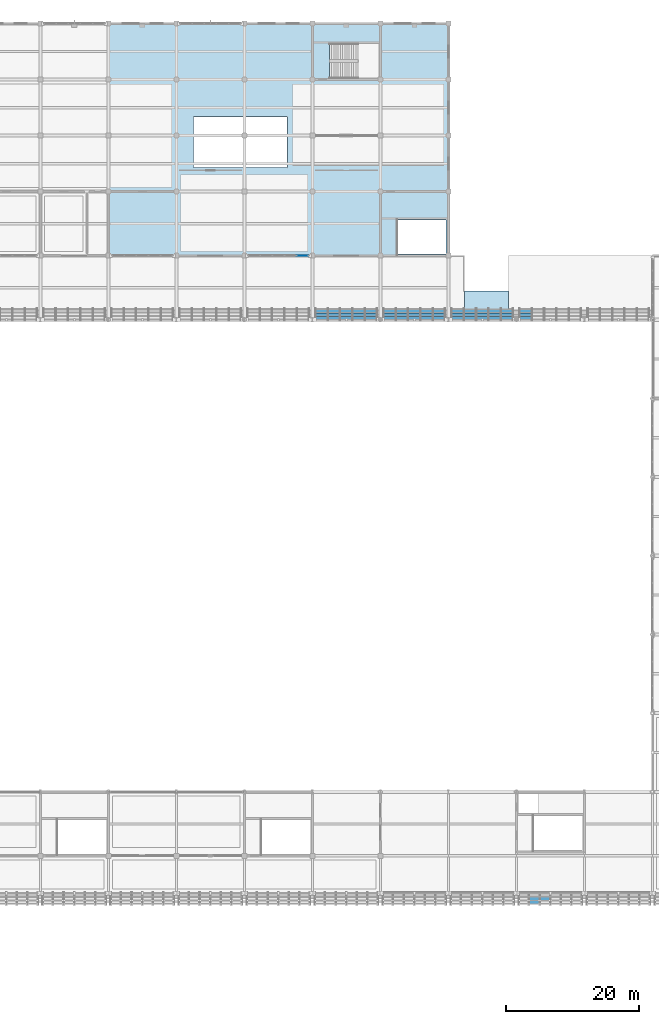
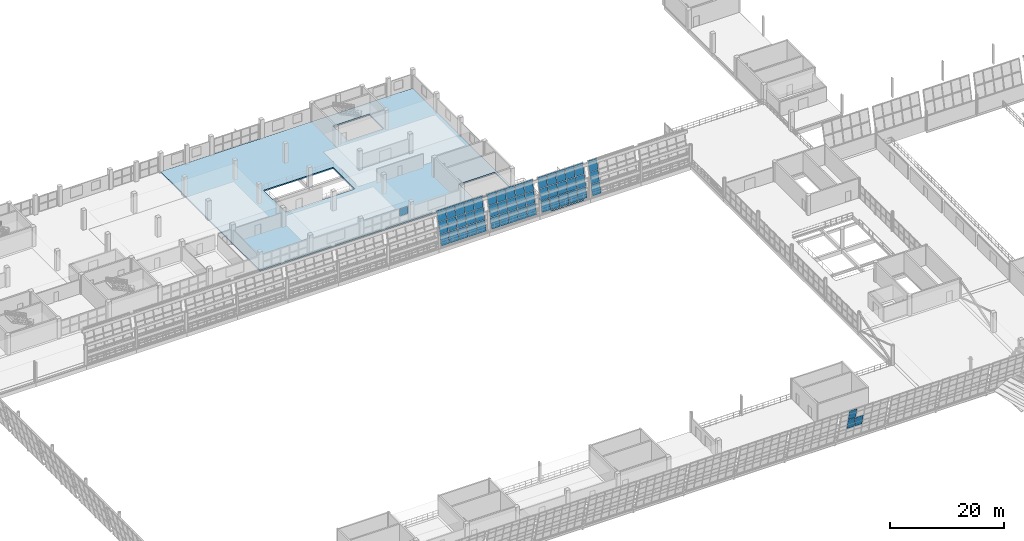
# One storey, part 109 of 157: 52 plates, 2 slabs, 6 elements without a shape of their own.
"""IFC4 building model written with IfcOpenShell, lengths in metres."""

from ifc_helpers import new_model, si_unit, direction, frame, origin, origin_2d, place, context, subcontext, project, spatial, polyline, rectangle, outline, extrude, material, layer, layer_set, type_object, element, aggregate, save


model = new_model("IFC4")

# Units and contexts
model_context = context("Model", 3, precision=1e-05, world=origin(), true_north=direction((0.0, 1.0)))
body_context = subcontext(model_context, "Body", "Model", "MODEL_VIEW")
ifc_project = project(units=[si_unit("LENGTHUNIT", "METRE"), si_unit("AREAUNIT", "SQUARE_METRE"), si_unit("VOLUMEUNIT", "CUBIC_METRE"), si_unit("PLANEANGLEUNIT", "RADIAN"), si_unit("MASSUNIT", "GRAM", prefix="KILO")], contexts=[model_context])

# Site, building, storey
site_placement = place(None, origin())
site = spatial("IfcSite", under=ifc_project, at=site_placement, CompositionType="ELEMENT")
building_placement = place(site_placement, origin())
building = spatial("IfcBuilding", under=site, at=building_placement, Name="Brelvane Convention Centre", CompositionType="ELEMENT")
storey_placement = place(building_placement, frame((0.0, 0.0, 10.800048828125)))
storey = spatial("IfcBuildingStorey", under=building, at=storey_placement, Name="L02", CompositionType="ELEMENT", Elevation=10.800048828125)

# Curtain wall, plate
ifc_material_1 = material(Name="Anodised Aluminium Alloy 6063-T6", Category="aluminium")
curtain_wall_type_1 = type_object("IfcCurtainWallType", Name="Curtain Wall CW-COURT", PredefinedType="USERDEFINED", material=ifc_material_1)
curtain_wall_1_placement = place(storey_placement, origin())
curtain_wall_1 = element("IfcCurtainWall", 1, at=curtain_wall_1_placement, inside=storey, type_object=curtain_wall_type_1, Name="Curtain Wall CW-COURT L02-V4S-09", ObjectType="UNITISED", PredefinedType="USERDEFINED")
ifc_material_2 = material(Name="Double Glazed Low-E Laminated Unit")
ifc_layer_1 = layer(ifc_material_2, 0.031982421875)
ifc_layer_set_1 = layer_set([ifc_layer_1], Name="Double Glazed Low-E Laminated Unit")
plate_type_1 = type_object("IfcPlateType", Name="Curtain Panel CW-PG1", PredefinedType="CURTAIN_PANEL", material=ifc_layer_set_1)
plate_1_placement = place(storey_placement, frame((90.3212890625, 109.199951171875, 1.68505859375), z_axis=(0.0, 0.0, 1.0), x_axis=(1.0, 0.0, 0.0)))
plate_1 = element("IfcPlate", 2, at=plate_1_placement, type_object=plate_type_1, Name="CW-COURT panel 5.2", PredefinedType="CURTAIN_PANEL", context=body_context, shape_type="SweptSolid", body=[
    extrude(rectangle(XDim=1.70751953125, YDim=0.031982421875, at=origin_2d()), origin(), (0.0, 0.0, 1.0), 1.544921875),
])
aggregate(curtain_wall_1, [plate_1])

# Curtain wall, plates
ifc_material_3 = material(Name="Anodised Aluminium Alloy 6063-T6", Category="aluminium")
curtain_wall_type_2 = type_object("IfcCurtainWallType", Name="Curtain Wall CW-HULL-S", PredefinedType="USERDEFINED", material=ifc_material_3)
curtain_wall_2_placement = place(storey_placement, origin())
curtain_wall_2 = element("IfcCurtainWall", 3, at=curtain_wall_2_placement, inside=storey, type_object=curtain_wall_type_2, Name="Curtain Wall CW-HULL-S L02-HULL-S-L02-13", ObjectType="UNITISED", PredefinedType="USERDEFINED")
ifc_material_4 = material(Name="Double Glazed Low-E Laminated Unit")
ifc_layer_2 = layer(ifc_material_4, 0.0380859375)
ifc_layer_set_2 = layer_set([ifc_layer_2], Name="Double Glazed Low-E Laminated Unit")
plate_type_2 = type_object("IfcPlateType", Name="Curtain Panel CW-PG2", PredefinedType="CURTAIN_PANEL", material=ifc_layer_set_2)
plate_2_placement = place(storey_placement, frame((124.353271484375, 13.05517578125, 2.3232421875), z_axis=(0.0, 0.973573977576, 0.228371868203), x_axis=(1.0, 0.0, 0.0)))
plate_2 = element("IfcPlate", 4, at=plate_2_placement, type_object=plate_type_2, Name="CW-HULL-S panel 2.2", PredefinedType="CURTAIN_PANEL", context=body_context, shape_type="SweptSolid", body=[
    extrude(outline(polyline([(0.0, 0.0), (1.513427734375, 0.0), (1.513427734375, -2.2631758771022032), (0.0, -2.2631758771022032), (0.0, 0.0)])), origin(), (0.0, 0.0, -1.0), 0.0380859375),
])
plate_3_placement = place(storey_placement, frame((124.353271484375, 12.51953125, 4.606689453125), z_axis=(0.0, 0.973586933466, 0.228316628794), x_axis=(1.0, 0.0, 0.0)))
plate_3 = element("IfcPlate", 5, at=plate_3_placement, type_object=plate_type_2, Name="CW-HULL-S panel 2.3", PredefinedType="CURTAIN_PANEL", context=body_context, shape_type="SweptSolid", body=[
    extrude(outline(polyline([(0.0, 0.0), (1.513427734375, 0.0), (1.513427734375, -2.2220204521674902), (0.0, -2.2220204521674902), (0.0, 0.0)])), origin(), (0.0, 0.0, -1.0), 0.0380859375),
])
plate_4_placement = place(storey_placement, frame((125.94677734375, 13.05517578125, 2.3232421875), z_axis=(0.0, 0.973573977576, 0.228371868203), x_axis=(1.0, 0.0, 0.0)))
plate_4 = element("IfcPlate", 6, at=plate_4_placement, type_object=plate_type_2, Name="CW-HULL-S panel 3.2", PredefinedType="CURTAIN_PANEL", context=body_context, shape_type="SweptSolid", body=[
    extrude(outline(polyline([(0.0, 0.0), (1.51318359375, 0.0), (1.51318359375, -2.2631758771022032), (0.0, -2.2631758771022032), (0.0, 0.0)])), origin(), (0.0, 0.0, -1.0), 0.0380859375),
])
aggregate(curtain_wall_2, [plate_2, plate_3, plate_4])

ifc_material_5 = material(Name="Anodised Aluminium Alloy 6063-T6", Category="aluminium")
curtain_wall_type_3 = type_object("IfcCurtainWallType", Name="Curtain Wall CW-HULL-N", PredefinedType="USERDEFINED", material=ifc_material_5)
curtain_wall_3_placement = place(storey_placement, origin())
curtain_wall_3 = element("IfcCurtainWall", 7, at=curtain_wall_3_placement, inside=storey, type_object=curtain_wall_type_3, Name="Curtain Wall CW-HULL-N L02-V1N-HULL-10", ObjectType="UNITISED", PredefinedType="USERDEFINED")
plate_5_placement = place(storey_placement, frame((92.330078125, 100.13720703125, 2.2900390625), z_axis=(0.0, -0.973595011737, 0.22828217872), x_axis=(1.0, 0.0, 0.0)))
plate_5 = element("IfcPlate", 8, at=plate_5_placement, type_object=plate_type_2, Name="CW-HULL-N panel 1.2", PredefinedType="CURTAIN_PANEL", context=body_context, shape_type="SweptSolid", body=[
    extrude(outline(polyline([(0.0, 0.0), (1.739990234375, 0.0), (1.739990234375, 2.2287725890550485), (0.0, 2.2287725890550485), (0.0, 0.0)])), origin(), (0.0, 0.0, -1.0), 0.0380859375),
])
plate_6_placement = place(storey_placement, frame((92.330078125, 100.664794921875, 4.5400390625), z_axis=(0.0, -0.973558945432, 0.228435942377), x_axis=(1.0, 0.0, 0.0)))
plate_6 = element("IfcPlate", 9, at=plate_6_placement, type_object=plate_type_2, Name="CW-HULL-N panel 1.3", PredefinedType="CURTAIN_PANEL", context=body_context, shape_type="SweptSolid", body=[
    extrude(outline(polyline([(0.0, 0.0), (1.739990234375, 0.0), (1.739990234375, 2.18772866552563), (0.0, 2.18772866552563), (0.0, 0.0)])), origin(), (0.0, 0.0, -1.0), 0.0380859375),
])
plate_7_placement = place(storey_placement, frame((94.14990234375, 100.13720703125, 2.2900390625), z_axis=(0.0, -0.973595011737, 0.22828217872), x_axis=(1.0, 0.0, 0.0)))
plate_7 = element("IfcPlate", 10, at=plate_7_placement, type_object=plate_type_2, Name="CW-HULL-N panel 2.2", PredefinedType="CURTAIN_PANEL", context=body_context, shape_type="SweptSolid", body=[
    extrude(outline(polyline([(0.0, 0.0), (1.780029296875, 0.0), (1.780029296875, 2.2287725890550485), (0.0, 2.2287725890550485), (0.0, 0.0)])), origin(), (0.0, 0.0, -1.0), 0.0380859375),
])
plate_8_placement = place(storey_placement, frame((94.14990234375, 100.664794921875, 4.5400390625), z_axis=(0.0, -0.973558945432, 0.228435942377), x_axis=(1.0, 0.0, 0.0)))
plate_8 = element("IfcPlate", 11, at=plate_8_placement, type_object=plate_type_2, Name="CW-HULL-N panel 2.3", PredefinedType="CURTAIN_PANEL", context=body_context, shape_type="SweptSolid", body=[
    extrude(outline(polyline([(0.0, 0.0), (1.780029296875, 0.0), (1.780029296875, 2.18772866552563), (0.0, 2.18772866552563), (0.0, 0.0)])), origin(), (0.0, 0.0, -1.0), 0.0380859375),
])
plate_9_placement = place(storey_placement, frame((96.010009765625, 100.13720703125, 2.2900390625), z_axis=(0.0, -0.973595011737, 0.22828217872), x_axis=(1.0, 0.0, 0.0)))
plate_9 = element("IfcPlate", 12, at=plate_9_placement, type_object=plate_type_2, Name="CW-HULL-N panel 3.2", PredefinedType="CURTAIN_PANEL", context=body_context, shape_type="SweptSolid", body=[
    extrude(outline(polyline([(0.0, 0.0), (1.780029296875, 0.0), (1.780029296875, 2.2287725890550485), (0.0, 2.2287725890550485), (0.0, 0.0)])), origin(), (0.0, 0.0, -1.0), 0.0380859375),
])
plate_10_placement = place(storey_placement, frame((96.010009765625, 100.664794921875, 4.5400390625), z_axis=(0.0, -0.973558945432, 0.228435942377), x_axis=(1.0, 0.0, 0.0)))
plate_10 = element("IfcPlate", 13, at=plate_10_placement, type_object=plate_type_2, Name="CW-HULL-N panel 3.3", PredefinedType="CURTAIN_PANEL", context=body_context, shape_type="SweptSolid", body=[
    extrude(outline(polyline([(0.0, 0.0), (1.780029296875, 0.0), (1.780029296875, 2.18772866552563), (0.0, 2.18772866552563), (0.0, 0.0)])), origin(), (0.0, 0.0, -1.0), 0.0380859375),
])
plate_11_placement = place(storey_placement, frame((97.8701171875, 100.13720703125, 2.2900390625), z_axis=(0.0, -0.973595011737, 0.22828217872), x_axis=(1.0, 0.0, 0.0)))
plate_11 = element("IfcPlate", 14, at=plate_11_placement, type_object=plate_type_2, Name="CW-HULL-N panel 4.2", PredefinedType="CURTAIN_PANEL", context=body_context, shape_type="SweptSolid", body=[
    extrude(outline(polyline([(0.0, 0.0), (1.77978515625, 0.0), (1.77978515625, 2.2287725890550485), (0.0, 2.2287725890550485), (0.0, 0.0)])), origin(), (0.0, 0.0, -1.0), 0.0380859375),
])
plate_12_placement = place(storey_placement, frame((97.8701171875, 100.664794921875, 4.5400390625), z_axis=(0.0, -0.973558945432, 0.228435942377), x_axis=(1.0, 0.0, 0.0)))
plate_12 = element("IfcPlate", 15, at=plate_12_placement, type_object=plate_type_2, Name="CW-HULL-N panel 4.3", PredefinedType="CURTAIN_PANEL", context=body_context, shape_type="SweptSolid", body=[
    extrude(outline(polyline([(0.0, 0.0), (1.77978515625, 0.0), (1.77978515625, 2.18772866552563), (0.0, 2.18772866552563), (0.0, 0.0)])), origin(), (0.0, 0.0, -1.0), 0.0380859375),
])
plate_13_placement = place(storey_placement, frame((99.72998046875, 100.13720703125, 2.2900390625), z_axis=(0.0, -0.973595011737, 0.22828217872), x_axis=(1.0, 0.0, 0.0)))
plate_13 = element("IfcPlate", 16, at=plate_13_placement, type_object=plate_type_2, Name="CW-HULL-N panel 5.2", PredefinedType="CURTAIN_PANEL", context=body_context, shape_type="SweptSolid", body=[
    extrude(outline(polyline([(0.0, 0.0), (1.739990234375, 0.0), (1.739990234375, 2.2287725890550485), (0.0, 2.2287725890550485), (0.0, 0.0)])), origin(), (0.0, 0.0, -1.0), 0.0380859375),
])
plate_14_placement = place(storey_placement, frame((99.72998046875, 100.664794921875, 4.5400390625), z_axis=(0.0, -0.973558945432, 0.228435942377), x_axis=(1.0, 0.0, 0.0)))
plate_14 = element("IfcPlate", 17, at=plate_14_placement, type_object=plate_type_2, Name="CW-HULL-N panel 5.3", PredefinedType="CURTAIN_PANEL", context=body_context, shape_type="SweptSolid", body=[
    extrude(outline(polyline([(0.0, 0.0), (1.739990234375, 0.0), (1.739990234375, 2.18772866552563), (0.0, 2.18772866552563), (0.0, 0.0)])), origin(), (0.0, 0.0, -1.0), 0.0380859375),
])

curtain_wall_4_placement = place(storey_placement, origin())
curtain_wall_4 = element("IfcCurtainWall", 18, at=curtain_wall_4_placement, inside=storey, type_object=curtain_wall_type_3, Name="Curtain Wall CW-HULL-N L02-V1N-HULL-11", ObjectType="UNITISED", PredefinedType="USERDEFINED")
plate_15_placement = place(storey_placement, frame((102.530029296875, 100.13720703125, 2.2900390625), z_axis=(0.0, -0.973595011737, 0.22828217872), x_axis=(1.0, 0.0, 0.0)))
plate_15 = element("IfcPlate", 19, at=plate_15_placement, type_object=plate_type_2, Name="CW-HULL-N panel 1.2", PredefinedType="CURTAIN_PANEL", context=body_context, shape_type="SweptSolid", body=[
    extrude(outline(polyline([(0.0, 0.0), (1.739990234375, 0.0), (1.739990234375, 2.2287725890550485), (0.0, 2.2287725890550485), (0.0, 0.0)])), origin(), (0.0, 0.0, -1.0), 0.0380859375),
])
plate_16_placement = place(storey_placement, frame((102.530029296875, 100.664794921875, 4.5400390625), z_axis=(0.0, -0.973558945432, 0.228435942377), x_axis=(1.0, 0.0, 0.0)))
plate_16 = element("IfcPlate", 20, at=plate_16_placement, type_object=plate_type_2, Name="CW-HULL-N panel 1.3", PredefinedType="CURTAIN_PANEL", context=body_context, shape_type="SweptSolid", body=[
    extrude(outline(polyline([(0.0, 0.0), (1.739990234375, 0.0), (1.739990234375, 2.18772866552563), (0.0, 2.18772866552563), (0.0, 0.0)])), origin(), (0.0, 0.0, -1.0), 0.0380859375),
])
plate_17_placement = place(storey_placement, frame((104.35009765625, 100.13720703125, 2.2900390625), z_axis=(0.0, -0.973595011737, 0.22828217872), x_axis=(1.0, 0.0, 0.0)))
plate_17 = element("IfcPlate", 21, at=plate_17_placement, type_object=plate_type_2, Name="CW-HULL-N panel 2.2", PredefinedType="CURTAIN_PANEL", context=body_context, shape_type="SweptSolid", body=[
    extrude(outline(polyline([(0.0, 0.0), (1.77978515625, 0.0), (1.77978515625, 2.2287725890550485), (0.0, 2.2287725890550485), (0.0, 0.0)])), origin(), (0.0, 0.0, -1.0), 0.0380859375),
])
plate_18_placement = place(storey_placement, frame((104.35009765625, 100.664794921875, 4.5400390625), z_axis=(0.0, -0.973558945432, 0.228435942377), x_axis=(1.0, 0.0, 0.0)))
plate_18 = element("IfcPlate", 22, at=plate_18_placement, type_object=plate_type_2, Name="CW-HULL-N panel 2.3", PredefinedType="CURTAIN_PANEL", context=body_context, shape_type="SweptSolid", body=[
    extrude(outline(polyline([(0.0, 0.0), (1.77978515625, 0.0), (1.77978515625, 2.18772866552563), (0.0, 2.18772866552563), (0.0, 0.0)])), origin(), (0.0, 0.0, -1.0), 0.0380859375),
])
plate_19_placement = place(storey_placement, frame((106.2099609375, 100.13720703125, 2.2900390625), z_axis=(0.0, -0.973595011737, 0.22828217872), x_axis=(1.0, 0.0, 0.0)))
plate_19 = element("IfcPlate", 23, at=plate_19_placement, type_object=plate_type_2, Name="CW-HULL-N panel 3.2", PredefinedType="CURTAIN_PANEL", context=body_context, shape_type="SweptSolid", body=[
    extrude(outline(polyline([(0.0, 0.0), (1.780029296875, 0.0), (1.780029296875, 2.2287725890550485), (0.0, 2.2287725890550485), (0.0, 0.0)])), origin(), (0.0, 0.0, -1.0), 0.0380859375),
])
plate_20_placement = place(storey_placement, frame((106.2099609375, 100.664794921875, 4.5400390625), z_axis=(0.0, -0.973558945432, 0.228435942377), x_axis=(1.0, 0.0, 0.0)))
plate_20 = element("IfcPlate", 24, at=plate_20_placement, type_object=plate_type_2, Name="CW-HULL-N panel 3.3", PredefinedType="CURTAIN_PANEL", context=body_context, shape_type="SweptSolid", body=[
    extrude(outline(polyline([(0.0, 0.0), (1.780029296875, 0.0), (1.780029296875, 2.18772866552563), (0.0, 2.18772866552563), (0.0, 0.0)])), origin(), (0.0, 0.0, -1.0), 0.0380859375),
])
plate_21_placement = place(storey_placement, frame((108.070068359375, 100.13720703125, 2.2900390625), z_axis=(0.0, -0.973595011737, 0.22828217872), x_axis=(1.0, 0.0, 0.0)))
plate_21 = element("IfcPlate", 25, at=plate_21_placement, type_object=plate_type_2, Name="CW-HULL-N panel 4.2", PredefinedType="CURTAIN_PANEL", context=body_context, shape_type="SweptSolid", body=[
    extrude(outline(polyline([(0.0, 0.0), (1.780029296875, 0.0), (1.780029296875, 2.2287725890550485), (0.0, 2.2287725890550485), (0.0, 0.0)])), origin(), (0.0, 0.0, -1.0), 0.0380859375),
])
plate_22_placement = place(storey_placement, frame((108.070068359375, 100.664794921875, 4.5400390625), z_axis=(0.0, -0.973558945432, 0.228435942377), x_axis=(1.0, 0.0, 0.0)))
plate_22 = element("IfcPlate", 26, at=plate_22_placement, type_object=plate_type_2, Name="CW-HULL-N panel 4.3", PredefinedType="CURTAIN_PANEL", context=body_context, shape_type="SweptSolid", body=[
    extrude(outline(polyline([(0.0, 0.0), (1.780029296875, 0.0), (1.780029296875, 2.18772866552563), (0.0, 2.18772866552563), (0.0, 0.0)])), origin(), (0.0, 0.0, -1.0), 0.0380859375),
])
plate_23_placement = place(storey_placement, frame((109.929931640625, 100.13720703125, 2.2900390625), z_axis=(0.0, -0.973595011737, 0.22828217872), x_axis=(1.0, 0.0, 0.0)))
plate_23 = element("IfcPlate", 27, at=plate_23_placement, type_object=plate_type_2, Name="CW-HULL-N panel 5.2", PredefinedType="CURTAIN_PANEL", context=body_context, shape_type="SweptSolid", body=[
    extrude(outline(polyline([(0.0, 0.0), (1.739990234375, 0.0), (1.739990234375, 2.2287725890550485), (0.0, 2.2287725890550485), (0.0, 0.0)])), origin(), (0.0, 0.0, -1.0), 0.0380859375),
])
plate_24_placement = place(storey_placement, frame((109.929931640625, 100.664794921875, 4.5400390625), z_axis=(0.0, -0.973558945432, 0.228435942377), x_axis=(1.0, 0.0, 0.0)))
plate_24 = element("IfcPlate", 28, at=plate_24_placement, type_object=plate_type_2, Name="CW-HULL-N panel 5.3", PredefinedType="CURTAIN_PANEL", context=body_context, shape_type="SweptSolid", body=[
    extrude(outline(polyline([(0.0, 0.0), (1.739990234375, 0.0), (1.739990234375, 2.18772866552563), (0.0, 2.18772866552563), (0.0, 0.0)])), origin(), (0.0, 0.0, -1.0), 0.0380859375),
])

curtain_wall_5_placement = place(storey_placement, origin())
curtain_wall_5 = element("IfcCurtainWall", 29, at=curtain_wall_5_placement, inside=storey, type_object=curtain_wall_type_3, Name="Curtain Wall CW-HULL-N L02-V1N-HULL-12", ObjectType="UNITISED", PredefinedType="USERDEFINED")
plate_25_placement = place(storey_placement, frame((112.72998046875, 100.13720703125, 2.2900390625), z_axis=(0.0, -0.973595011737, 0.22828217872), x_axis=(1.0, 0.0, 0.0)))
plate_25 = element("IfcPlate", 30, at=plate_25_placement, type_object=plate_type_2, Name="CW-HULL-N panel 1.2", PredefinedType="CURTAIN_PANEL", context=body_context, shape_type="SweptSolid", body=[
    extrude(outline(polyline([(0.0, 0.0), (1.739990234375, 0.0), (1.739990234375, 2.2287725890550485), (0.0, 2.2287725890550485), (0.0, 0.0)])), origin(), (0.0, 0.0, -1.0), 0.0380859375),
])
plate_26_placement = place(storey_placement, frame((112.72998046875, 100.664794921875, 4.5400390625), z_axis=(0.0, -0.973558945432, 0.228435942377), x_axis=(1.0, 0.0, 0.0)))
plate_26 = element("IfcPlate", 31, at=plate_26_placement, type_object=plate_type_2, Name="CW-HULL-N panel 1.3", PredefinedType="CURTAIN_PANEL", context=body_context, shape_type="SweptSolid", body=[
    extrude(outline(polyline([(0.0, 0.0), (1.739990234375, 0.0), (1.739990234375, 2.18772866552563), (0.0, 2.18772866552563), (0.0, 0.0)])), origin(), (0.0, 0.0, -1.0), 0.0380859375),
])
plate_27_placement = place(storey_placement, frame((114.550048828125, 100.13720703125, 2.2900390625), z_axis=(0.0, -0.973595011737, 0.22828217872), x_axis=(1.0, 0.0, 0.0)))
plate_27 = element("IfcPlate", 32, at=plate_27_placement, type_object=plate_type_2, Name="CW-HULL-N panel 2.2", PredefinedType="CURTAIN_PANEL", context=body_context, shape_type="SweptSolid", body=[
    extrude(outline(polyline([(0.0, 0.0), (1.780029296875, 0.0), (1.780029296875, 2.2287725890550485), (0.0, 2.2287725890550485), (0.0, 0.0)])), origin(), (0.0, 0.0, -1.0), 0.0380859375),
])
plate_28_placement = place(storey_placement, frame((114.550048828125, 100.664794921875, 4.5400390625), z_axis=(0.0, -0.973558945432, 0.228435942377), x_axis=(1.0, 0.0, 0.0)))
plate_28 = element("IfcPlate", 33, at=plate_28_placement, type_object=plate_type_2, Name="CW-HULL-N panel 2.3", PredefinedType="CURTAIN_PANEL", context=body_context, shape_type="SweptSolid", body=[
    extrude(outline(polyline([(0.0, 0.0), (1.780029296875, 0.0), (1.780029296875, 2.18772866552563), (0.0, 2.18772866552563), (0.0, 0.0)])), origin(), (0.0, 0.0, -1.0), 0.0380859375),
])
plate_29_placement = place(storey_placement, frame((116.409912109375, 100.13720703125, 2.2900390625), z_axis=(0.0, -0.973595011737, 0.22828217872), x_axis=(1.0, 0.0, 0.0)))
plate_29 = element("IfcPlate", 34, at=plate_29_placement, type_object=plate_type_2, Name="CW-HULL-N panel 3.2", PredefinedType="CURTAIN_PANEL", context=body_context, shape_type="SweptSolid", body=[
    extrude(outline(polyline([(0.0, 0.0), (1.780029296875, 0.0), (1.780029296875, 2.2287725890550485), (0.0, 2.2287725890550485), (0.0, 0.0)])), origin(), (0.0, 0.0, -1.0), 0.0380859375),
])
plate_30_placement = place(storey_placement, frame((116.409912109375, 100.664794921875, 4.5400390625), z_axis=(0.0, -0.973558945432, 0.228435942377), x_axis=(1.0, 0.0, 0.0)))
plate_30 = element("IfcPlate", 35, at=plate_30_placement, type_object=plate_type_2, Name="CW-HULL-N panel 3.3", PredefinedType="CURTAIN_PANEL", context=body_context, shape_type="SweptSolid", body=[
    extrude(outline(polyline([(0.0, 0.0), (1.780029296875, 0.0), (1.780029296875, 2.18772866552563), (0.0, 2.18772866552563), (0.0, 0.0)])), origin(), (0.0, 0.0, -1.0), 0.0380859375),
])
plate_31_placement = place(storey_placement, frame((118.27001953125, 100.13720703125, 2.2900390625), z_axis=(0.0, -0.973595011737, 0.22828217872), x_axis=(1.0, 0.0, 0.0)))
plate_31 = element("IfcPlate", 36, at=plate_31_placement, type_object=plate_type_2, Name="CW-HULL-N panel 4.2", PredefinedType="CURTAIN_PANEL", context=body_context, shape_type="SweptSolid", body=[
    extrude(outline(polyline([(0.0, 0.0), (1.780029296875, 0.0), (1.780029296875, 2.2287725890550485), (0.0, 2.2287725890550485), (0.0, 0.0)])), origin(), (0.0, 0.0, -1.0), 0.0380859375),
])
plate_32_placement = place(storey_placement, frame((118.27001953125, 100.664794921875, 4.5400390625), z_axis=(0.0, -0.973558945432, 0.228435942377), x_axis=(1.0, 0.0, 0.0)))
plate_32 = element("IfcPlate", 37, at=plate_32_placement, type_object=plate_type_2, Name="CW-HULL-N panel 4.3", PredefinedType="CURTAIN_PANEL", context=body_context, shape_type="SweptSolid", body=[
    extrude(outline(polyline([(0.0, 0.0), (1.780029296875, 0.0), (1.780029296875, 2.18772866552563), (0.0, 2.18772866552563), (0.0, 0.0)])), origin(), (0.0, 0.0, -1.0), 0.0380859375),
])
plate_33_placement = place(storey_placement, frame((120.1298828125, 100.13720703125, 2.2900390625), z_axis=(0.0, -0.973595011737, 0.22828217872), x_axis=(1.0, 0.0, 0.0)))
plate_33 = element("IfcPlate", 38, at=plate_33_placement, type_object=plate_type_2, Name="CW-HULL-N panel 5.2", PredefinedType="CURTAIN_PANEL", context=body_context, shape_type="SweptSolid", body=[
    extrude(outline(polyline([(0.0, 0.0), (1.740234375, 0.0), (1.740234375, 2.2287725890550485), (0.0, 2.2287725890550485), (0.0, 0.0)])), origin(), (0.0, 0.0, -1.0), 0.0380859375),
])
plate_34_placement = place(storey_placement, frame((120.1298828125, 100.664794921875, 4.5400390625), z_axis=(0.0, -0.973558945432, 0.228435942377), x_axis=(1.0, 0.0, 0.0)))
plate_34 = element("IfcPlate", 39, at=plate_34_placement, type_object=plate_type_2, Name="CW-HULL-N panel 5.3", PredefinedType="CURTAIN_PANEL", context=body_context, shape_type="SweptSolid", body=[
    extrude(outline(polyline([(0.0, 0.0), (1.740234375, 0.0), (1.740234375, 2.18772866552563), (0.0, 2.18772866552563), (0.0, 0.0)])), origin(), (0.0, 0.0, -1.0), 0.0380859375),
])

curtain_wall_6_placement = place(storey_placement, origin())
curtain_wall_6 = element("IfcCurtainWall", 40, at=curtain_wall_6_placement, inside=storey, type_object=curtain_wall_type_3, Name="Curtain Wall CW-HULL-N L02-V1N-HULL-13", ObjectType="UNITISED", PredefinedType="USERDEFINED")
plate_35_placement = place(storey_placement, frame((122.929931640625, 100.13720703125, 2.2900390625), z_axis=(0.0, -0.973595011737, 0.22828217872), x_axis=(1.0, 0.0, 0.0)))
plate_35 = element("IfcPlate", 41, at=plate_35_placement, type_object=plate_type_2, Name="CW-HULL-N panel 1.2", PredefinedType="CURTAIN_PANEL", context=body_context, shape_type="SweptSolid", body=[
    extrude(outline(polyline([(0.0, 0.0), (1.739990234375, 0.0), (1.739990234375, 2.2287725890550485), (0.0, 2.2287725890550485), (0.0, 0.0)])), origin(), (0.0, 0.0, -1.0), 0.0380859375),
])
plate_36_placement = place(storey_placement, frame((122.929931640625, 100.664794921875, 4.5400390625), z_axis=(0.0, -0.973558945432, 0.228435942377), x_axis=(1.0, 0.0, 0.0)))
plate_36 = element("IfcPlate", 42, at=plate_36_placement, type_object=plate_type_2, Name="CW-HULL-N panel 1.3", PredefinedType="CURTAIN_PANEL", context=body_context, shape_type="SweptSolid", body=[
    extrude(outline(polyline([(0.0, 0.0), (1.739990234375, 0.0), (1.739990234375, 2.18772866552563), (0.0, 2.18772866552563), (0.0, 0.0)])), origin(), (0.0, 0.0, -1.0), 0.0380859375),
])

# Plate
ifc_material_6 = material(Name="Patinated Copper-Bronze Alloy C22000")
ifc_layer_3 = layer(ifc_material_6, 0.048095703125)
ifc_layer_set_3 = layer_set([ifc_layer_3], Name="Patinated Copper-Bronze Alloy C22000")
plate_type_3 = type_object("IfcPlateType", Name="Curtain Panel CW-PS1", PredefinedType="CURTAIN_PANEL", material=ifc_layer_set_3)
plate_37_placement = place(storey_placement, frame((92.330078125, 99.61865234375, 0.079833984375), z_axis=(0.0, -0.973564767867, 0.228411126627), x_axis=(1.0, 0.0, 0.0)))
plate_37 = element("IfcPlate", 43, at=plate_37_placement, type_object=plate_type_3, Name="CW-HULL-N panel 1.1", PredefinedType="CURTAIN_PANEL", context=body_context, shape_type="SweptSolid", body=[
    extrude(outline(polyline([(0.0, 0.0), (1.739990234375, 0.0), (1.739990234375, 2.1879663515258274), (0.0, 2.1879663515258274), (0.0, 0.0)])), origin(), (0.0, 0.0, -1.0), 0.0380859375),
])

plate_38_placement = place(storey_placement, frame((94.14990234375, 99.61865234375, 0.079833984375), z_axis=(0.0, -0.973564767867, 0.228411126627), x_axis=(1.0, 0.0, 0.0)))
plate_38 = element("IfcPlate", 44, at=plate_38_placement, type_object=plate_type_3, Name="CW-HULL-N panel 2.1", PredefinedType="CURTAIN_PANEL", context=body_context, shape_type="SweptSolid", body=[
    extrude(outline(polyline([(0.0, 0.0), (1.780029296875, 0.0), (1.780029296875, 2.1879663515258274), (0.0, 2.1879663515258274), (0.0, 0.0)])), origin(), (0.0, 0.0, -1.0), 0.0380859375),
])

plate_39_placement = place(storey_placement, frame((96.010009765625, 99.61865234375, 0.079833984375), z_axis=(0.0, -0.973564767867, 0.228411126627), x_axis=(1.0, 0.0, 0.0)))
plate_39 = element("IfcPlate", 45, at=plate_39_placement, type_object=plate_type_3, Name="CW-HULL-N panel 3.1", PredefinedType="CURTAIN_PANEL", context=body_context, shape_type="SweptSolid", body=[
    extrude(outline(polyline([(0.0, 0.0), (1.780029296875, 0.0), (1.780029296875, 2.1879663515258274), (0.0, 2.1879663515258274), (0.0, 0.0)])), origin(), (0.0, 0.0, -1.0), 0.0380859375),
])

plate_40_placement = place(storey_placement, frame((97.8701171875, 99.61865234375, 0.079833984375), z_axis=(0.0, -0.973564767867, 0.228411126627), x_axis=(1.0, 0.0, 0.0)))
plate_40 = element("IfcPlate", 46, at=plate_40_placement, type_object=plate_type_3, Name="CW-HULL-N panel 4.1", PredefinedType="CURTAIN_PANEL", context=body_context, shape_type="SweptSolid", body=[
    extrude(outline(polyline([(0.0, 0.0), (1.77978515625, 0.0), (1.77978515625, 2.187966351525827), (0.0, 2.187966351525827), (0.0, 0.0)])), origin(), (0.0, 0.0, -1.0), 0.0380859375),
])

plate_41_placement = place(storey_placement, frame((99.72998046875, 99.61865234375, 0.079833984375), z_axis=(0.0, -0.973564767867, 0.228411126627), x_axis=(1.0, 0.0, 0.0)))
plate_41 = element("IfcPlate", 47, at=plate_41_placement, type_object=plate_type_3, Name="CW-HULL-N panel 5.1", PredefinedType="CURTAIN_PANEL", context=body_context, shape_type="SweptSolid", body=[
    extrude(outline(polyline([(0.0, 0.0), (1.739990234375, 0.0), (1.739990234375, 2.1879663515258274), (0.0, 2.1879663515258274), (0.0, 0.0)])), origin(), (0.0, 0.0, -1.0), 0.0380859375),
])

aggregate(curtain_wall_3, [plate_37, plate_5, plate_6, plate_38, plate_7, plate_8, plate_39, plate_9, plate_10, plate_40, plate_11, plate_12, plate_41, plate_13, plate_14])

plate_42_placement = place(storey_placement, frame((102.530029296875, 99.61865234375, 0.079833984375), z_axis=(0.0, -0.973564767867, 0.228411126627), x_axis=(1.0, 0.0, 0.0)))
plate_42 = element("IfcPlate", 48, at=plate_42_placement, type_object=plate_type_3, Name="CW-HULL-N panel 1.1", PredefinedType="CURTAIN_PANEL", context=body_context, shape_type="SweptSolid", body=[
    extrude(outline(polyline([(0.0, 0.0), (1.739990234375, 0.0), (1.739990234375, 2.1879663515258274), (0.0, 2.1879663515258274), (0.0, 0.0)])), origin(), (0.0, 0.0, -1.0), 0.0380859375),
])

plate_43_placement = place(storey_placement, frame((104.35009765625, 99.61865234375, 0.079833984375), z_axis=(0.0, -0.973564767867, 0.228411126627), x_axis=(1.0, 0.0, 0.0)))
plate_43 = element("IfcPlate", 49, at=plate_43_placement, type_object=plate_type_3, Name="CW-HULL-N panel 2.1", PredefinedType="CURTAIN_PANEL", context=body_context, shape_type="SweptSolid", body=[
    extrude(outline(polyline([(0.0, 0.0), (1.77978515625, 0.0), (1.77978515625, 2.187966351525827), (0.0, 2.187966351525827), (0.0, 0.0)])), origin(), (0.0, 0.0, -1.0), 0.0380859375),
])

plate_44_placement = place(storey_placement, frame((106.2099609375, 99.61865234375, 0.079833984375), z_axis=(0.0, -0.973564767867, 0.228411126627), x_axis=(1.0, 0.0, 0.0)))
plate_44 = element("IfcPlate", 50, at=plate_44_placement, type_object=plate_type_3, Name="CW-HULL-N panel 3.1", PredefinedType="CURTAIN_PANEL", context=body_context, shape_type="SweptSolid", body=[
    extrude(outline(polyline([(0.0, 0.0), (1.780029296875, 0.0), (1.780029296875, 2.1879663515258274), (0.0, 2.1879663515258274), (0.0, 0.0)])), origin(), (0.0, 0.0, -1.0), 0.0380859375),
])

plate_45_placement = place(storey_placement, frame((108.070068359375, 99.61865234375, 0.079833984375), z_axis=(0.0, -0.973564767867, 0.228411126627), x_axis=(1.0, 0.0, 0.0)))
plate_45 = element("IfcPlate", 51, at=plate_45_placement, type_object=plate_type_3, Name="CW-HULL-N panel 4.1", PredefinedType="CURTAIN_PANEL", context=body_context, shape_type="SweptSolid", body=[
    extrude(outline(polyline([(0.0, 0.0), (1.780029296875, 0.0), (1.780029296875, 2.1879663515258274), (0.0, 2.1879663515258274), (0.0, 0.0)])), origin(), (0.0, 0.0, -1.0), 0.0380859375),
])

plate_46_placement = place(storey_placement, frame((109.929931640625, 99.61865234375, 0.079833984375), z_axis=(0.0, -0.973564767867, 0.228411126627), x_axis=(1.0, 0.0, 0.0)))
plate_46 = element("IfcPlate", 52, at=plate_46_placement, type_object=plate_type_3, Name="CW-HULL-N panel 5.1", PredefinedType="CURTAIN_PANEL", context=body_context, shape_type="SweptSolid", body=[
    extrude(outline(polyline([(0.0, 0.0), (1.739990234375, 0.0), (1.739990234375, 2.1879663515258274), (0.0, 2.1879663515258274), (0.0, 0.0)])), origin(), (0.0, 0.0, -1.0), 0.0380859375),
])

aggregate(curtain_wall_4, [plate_42, plate_15, plate_16, plate_43, plate_17, plate_18, plate_44, plate_19, plate_20, plate_45, plate_21, plate_22, plate_46, plate_23, plate_24])

plate_47_placement = place(storey_placement, frame((112.72998046875, 99.61865234375, 0.079833984375), z_axis=(0.0, -0.973564767867, 0.228411126627), x_axis=(1.0, 0.0, 0.0)))
plate_47 = element("IfcPlate", 53, at=plate_47_placement, type_object=plate_type_3, Name="CW-HULL-N panel 1.1", PredefinedType="CURTAIN_PANEL", context=body_context, shape_type="SweptSolid", body=[
    extrude(outline(polyline([(0.0, 0.0), (1.739990234375, 0.0), (1.739990234375, 2.1879663515258274), (0.0, 2.1879663515258274), (0.0, 0.0)])), origin(), (0.0, 0.0, -1.0), 0.0380859375),
])

plate_48_placement = place(storey_placement, frame((114.550048828125, 99.61865234375, 0.079833984375), z_axis=(0.0, -0.973564767867, 0.228411126627), x_axis=(1.0, 0.0, 0.0)))
plate_48 = element("IfcPlate", 54, at=plate_48_placement, type_object=plate_type_3, Name="CW-HULL-N panel 2.1", PredefinedType="CURTAIN_PANEL", context=body_context, shape_type="SweptSolid", body=[
    extrude(outline(polyline([(0.0, 0.0), (1.780029296875, 0.0), (1.780029296875, 2.1879663515258274), (0.0, 2.1879663515258274), (0.0, 0.0)])), origin(), (0.0, 0.0, -1.0), 0.0380859375),
])

plate_49_placement = place(storey_placement, frame((116.409912109375, 99.61865234375, 0.079833984375), z_axis=(0.0, -0.973564767867, 0.228411126627), x_axis=(1.0, 0.0, 0.0)))
plate_49 = element("IfcPlate", 55, at=plate_49_placement, type_object=plate_type_3, Name="CW-HULL-N panel 3.1", PredefinedType="CURTAIN_PANEL", context=body_context, shape_type="SweptSolid", body=[
    extrude(outline(polyline([(0.0, 0.0), (1.780029296875, 0.0), (1.780029296875, 2.1879663515258274), (0.0, 2.1879663515258274), (0.0, 0.0)])), origin(), (0.0, 0.0, -1.0), 0.0380859375),
])

plate_50_placement = place(storey_placement, frame((118.27001953125, 99.61865234375, 0.079833984375), z_axis=(0.0, -0.973564767867, 0.228411126627), x_axis=(1.0, 0.0, 0.0)))
plate_50 = element("IfcPlate", 56, at=plate_50_placement, type_object=plate_type_3, Name="CW-HULL-N panel 4.1", PredefinedType="CURTAIN_PANEL", context=body_context, shape_type="SweptSolid", body=[
    extrude(outline(polyline([(0.0, 0.0), (1.780029296875, 0.0), (1.780029296875, 2.1879663515258274), (0.0, 2.1879663515258274), (0.0, 0.0)])), origin(), (0.0, 0.0, -1.0), 0.0380859375),
])

plate_51_placement = place(storey_placement, frame((120.1298828125, 99.61865234375, 0.079833984375), z_axis=(0.0, -0.973564767867, 0.228411126627), x_axis=(1.0, 0.0, 0.0)))
plate_51 = element("IfcPlate", 57, at=plate_51_placement, type_object=plate_type_3, Name="CW-HULL-N panel 5.1", PredefinedType="CURTAIN_PANEL", context=body_context, shape_type="SweptSolid", body=[
    extrude(outline(polyline([(0.0, 0.0), (1.740234375, 0.0), (1.740234375, 2.1879663515258274), (0.0, 2.1879663515258274), (0.0, 0.0)])), origin(), (0.0, 0.0, -1.0), 0.0380859375),
])

aggregate(curtain_wall_5, [plate_47, plate_25, plate_26, plate_48, plate_27, plate_28, plate_49, plate_29, plate_30, plate_50, plate_31, plate_32, plate_51, plate_33, plate_34])

plate_52_placement = place(storey_placement, frame((122.929931640625, 99.61865234375, 0.079833984375), z_axis=(0.0, -0.973564767867, 0.228411126627), x_axis=(1.0, 0.0, 0.0)))
plate_52 = element("IfcPlate", 58, at=plate_52_placement, type_object=plate_type_3, Name="CW-HULL-N panel 1.1", PredefinedType="CURTAIN_PANEL", context=body_context, shape_type="SweptSolid", body=[
    extrude(outline(polyline([(0.0, 0.0), (1.739990234375, 0.0), (1.739990234375, 2.1879663515258274), (0.0, 2.1879663515258274), (0.0, 0.0)])), origin(), (0.0, 0.0, -1.0), 0.0380859375),
])

aggregate(curtain_wall_6, [plate_52, plate_35, plate_36])

# Slabs
ifc_material_7 = material(Name="Concrete M40", Category="concrete")
ifc_layer_4 = layer(ifc_material_7, 0.280029296875)
ifc_layer_set_4 = layer_set([ifc_layer_4], Name="Concrete M40")
slab_type = type_object("IfcSlabType", Name="Structural Slab SL-FLR-280", PredefinedType="FLOOR", material=ifc_layer_set_4)
slab_1_placement = place(storey_placement, frame((0.0, 0.0, -0.280029296875)))
element("IfcSlab", 59, at=slab_1_placement, inside=storey, type_object=slab_type, Name="L02 Floor Slab MEET-E", PredefinedType="FLOOR", context=body_context, shape_type="SweptSolid", body=[
    extrude(outline(polyline([(61.199951171875, 109.199951171875), (112.199951171875, 109.199951171875), (112.199951171875, 144.0), (61.199951171875, 144.0), (61.199951171875, 109.199951171875)]), holes=[polyline([(94.39990234375, 135.85009765625), (101.64990234375, 135.85009765625), (101.64990234375, 140.949951171875), (94.39990234375, 140.949951171875), (94.39990234375, 135.85009765625)]), polyline([(104.60009765625, 109.449951171875), (111.85009765625, 109.449951171875), (111.85009765625, 114.550048828125), (104.60009765625, 114.550048828125), (104.60009765625, 109.449951171875)]), polyline([(74.0, 122.39990234375), (88.0, 122.39990234375), (88.0, 130.0), (74.0, 130.0), (74.0, 122.39990234375)])]), origin(), (0.0, 0.0, 1.0), 0.280029296875),
])
slab_2_placement = place(storey_placement, frame((0.0, 0.0, -0.280029296875)))
element("IfcSlab", 60, at=slab_2_placement, inside=storey, type_object=slab_type, Name="L02 Floor Slab VR1-S", PredefinedType="FLOOR", context=body_context, shape_type="SweptSolid", body=[
    extrude(outline(polyline([(114.60009765625, 99.60009765625), (121.199951171875, 99.60009765625), (121.199951171875, 103.89990234375), (114.60009765625, 103.89990234375), (114.60009765625, 99.60009765625)])), origin(), (0.0, 0.0, 1.0), 0.280029296875),
])

save(model, "model.ifc")
